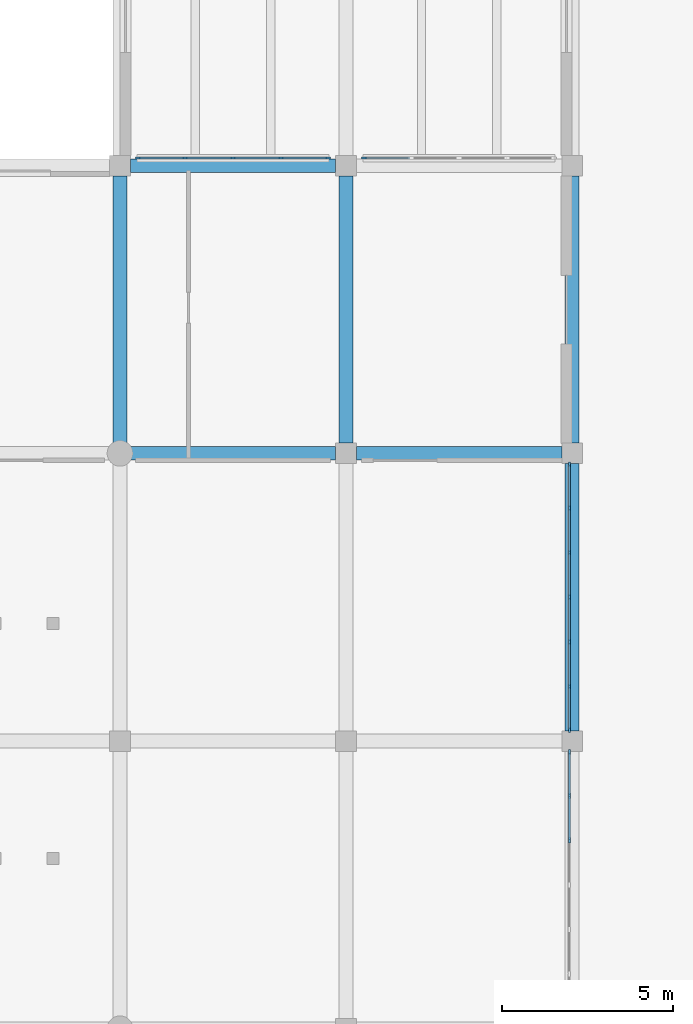
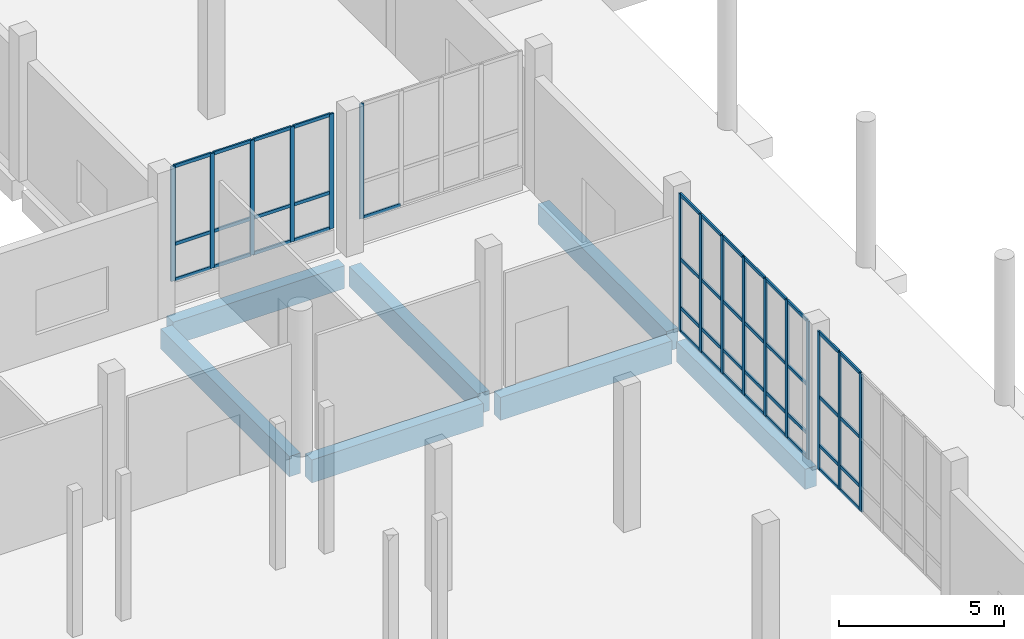
# One storey, part 8 of 64: 61 members, 7 beams, 4 elements without a shape of their own.
"""IFC4 building model written with IfcOpenShell, lengths in metres."""

from ifc_helpers import new_model, si_unit, direction, frame, origin, origin_2d, place, context, subcontext, project, spatial, rectangle, extrude, material, material_profile, profile_set, type_object, element, aggregate, save


model = new_model("IFC4")

# Units and contexts
model_context = context("Model", 3, precision=1e-05, world=origin(), true_north=direction((0.0, 1.0)))
body_context = subcontext(model_context, "Body", "Model", "MODEL_VIEW")
ifc_project = project(units=[si_unit("LENGTHUNIT", "METRE"), si_unit("AREAUNIT", "SQUARE_METRE"), si_unit("VOLUMEUNIT", "CUBIC_METRE"), si_unit("PLANEANGLEUNIT", "RADIAN"), si_unit("MASSUNIT", "GRAM", prefix="KILO")], contexts=[model_context])

# Site, building, storey
site_placement = place(None, origin())
site = spatial("IfcSite", under=ifc_project, at=site_placement, CompositionType="ELEMENT")
building_placement = place(site_placement, origin())
building = spatial("IfcBuilding", under=site, at=building_placement, Name="Qaldarim Faculty of Natural and Applied Sciences", CompositionType="ELEMENT")
storey_placement = place(building_placement, origin())
storey = spatial("IfcBuildingStorey", under=building, at=storey_placement, Name="L00", CompositionType="ELEMENT", Elevation=0.0)

# Beams
ifc_material_1 = material(Name="Concrete C50/60", Category="concrete")
ifc_material_profile_1 = material_profile(ifc_material_1, rectangle(XDim=0.39990234375, YDim=0.75, at=origin_2d()), Name="RC-B400x750")
ifc_profile_set_1 = profile_set([ifc_material_profile_1], Name="Concrete C50/60")
beam_type_1 = type_object("IfcBeamType", Name="LabGirder-RC400x750", PredefinedType="BEAM", material=ifc_profile_set_1)
for number, where, z_axis, x_axis, name in (
    (1, (33.0, 75.89990234375, -0.735107421875), (0.0, 1.0, 0.0), (-1.0, 0.0, 0.0), "Beam RC-B400x750 B01 X06/Y10-Y11"),
    (2, (39.60009765625, 75.89990234375, -0.735107421875), (0.0, 1.0, 0.0), (-1.0, 0.0, 0.0), "Beam RC-B400x750 B01 X07/Y10-Y11"),
    (3, (46.199951171875, 67.5, -0.735107421875), (0.0, 1.0, 0.0), (-1.0, 0.0, 0.0), "Beam RC-B400x750 B01 X08/Y09-Y10"),
    (4, (46.199951171875, 75.89990234375, -0.735107421875), (0.0, 1.0, 0.0), (-1.0, 0.0, 0.0), "Beam RC-B400x750 B01 X08/Y10-Y11"),
):
    element("IfcBeam", number, at=place(storey_placement, frame(where, z_axis=z_axis, x_axis=x_axis)), inside=storey, type_object=beam_type_1, Name=name, PredefinedType="BEAM", context=body_context, shape_type="SweptSolid", body=[
        extrude(rectangle(XDim=0.39990234375, YDim=0.75, at=origin_2d()), origin(), (0.0, 0.0, 1.0), 7.800048828125),
    ])

# Curtain wall, members
ifc_material_2 = material(Name="Anodised aluminium AW-6063", Category="aluminium")
curtain_wall_type_1 = type_object("IfcCurtainWallType", Name="CurtainWallSystem-M1300", PredefinedType="USERDEFINED", material=ifc_material_2)
curtain_wall_1_placement = place(storey_placement, origin())
curtain_wall_1 = element("IfcCurtainWall", 5, at=curtain_wall_1_placement, inside=storey, type_object=curtain_wall_type_1, Name="Curtain wall CW-L00-E-X07Y08", ObjectType="STICK CURTAIN WALL", PredefinedType="USERDEFINED")
ifc_material_profile_2 = material_profile(ifc_material_2, rectangle(XDim=0.06005859375, YDim=0.14990234375, at=origin_2d()), Name="ALU-M60x150")
ifc_profile_set_2 = profile_set([ifc_material_profile_2], Name="Anodised aluminium AW-6063")
member_type_1 = type_object("IfcMemberType", Name="Mullion-ALU60x150", PredefinedType="MULLION", material=ifc_profile_set_2)
member_1_placement = place(storey_placement, frame((46.1201171875, 64.3017578125, 0.0), z_axis=(0.0, 0.0, 1.0), x_axis=(-1.0, 0.0, 0.0)))
member_1 = element("IfcMember", 6, at=member_1_placement, type_object=member_type_1, Name="Mullion 5 of CW-L00-E-X07Y08", PredefinedType="MULLION", context=body_context, shape_type="SweptSolid", body=[
    extrude(rectangle(XDim=0.06005859375, YDim=0.14990234375, at=origin_2d()), origin(), (0.0, 0.0, 1.0), 5.10009765625),
])
member_2_placement = place(storey_placement, frame((46.1201171875, 65.603271484375, 0.0), z_axis=(0.0, 0.0, 1.0), x_axis=(-1.0, 0.0, 0.0)))
member_2 = element("IfcMember", 7, at=member_2_placement, type_object=member_type_1, Name="Mullion 6 of CW-L00-E-X07Y08", PredefinedType="MULLION", context=body_context, shape_type="SweptSolid", body=[
    extrude(rectangle(XDim=0.06005859375, YDim=0.14990234375, at=origin_2d()), origin(), (0.0, 0.0, 1.0), 5.10009765625),
])
member_3_placement = place(storey_placement, frame((46.1201171875, 66.875, 0.0), z_axis=(0.0, 0.0, 1.0), x_axis=(-1.0, 0.0, 0.0)))
member_3 = element("IfcMember", 8, at=member_3_placement, type_object=member_type_1, Name="Mullion 7 of CW-L00-E-X07Y08", PredefinedType="MULLION", context=body_context, shape_type="SweptSolid", body=[
    extrude(rectangle(XDim=0.06005859375, YDim=0.14990234375, at=origin_2d()), origin(), (0.0, 0.0, 1.0), 5.10009765625),
])

curtain_wall_2_placement = place(storey_placement, origin())
curtain_wall_2 = element("IfcCurtainWall", 9, at=curtain_wall_2_placement, inside=storey, type_object=curtain_wall_type_1, Name="Curtain wall CW-L00-E-X07Y09", ObjectType="STICK CURTAIN WALL", PredefinedType="USERDEFINED")
member_4_placement = place(storey_placement, frame((46.1201171875, 67.52490234375, 0.0), z_axis=(0.0, 0.0, 1.0), x_axis=(-1.0, 0.0, 0.0)))
member_4 = element("IfcMember", 10, at=member_4_placement, type_object=member_type_1, Name="Mullion 1 of CW-L00-E-X07Y09", PredefinedType="MULLION", context=body_context, shape_type="SweptSolid", body=[
    extrude(rectangle(XDim=0.06005859375, YDim=0.14990234375, at=origin_2d()), origin(), (0.0, 0.0, 1.0), 5.10009765625),
])
member_5_placement = place(storey_placement, frame((46.1201171875, 68.796630859375, 0.0), z_axis=(0.0, 0.0, 1.0), x_axis=(-1.0, 0.0, 0.0)))
member_5 = element("IfcMember", 11, at=member_5_placement, type_object=member_type_1, Name="Mullion 2 of CW-L00-E-X07Y09", PredefinedType="MULLION", context=body_context, shape_type="SweptSolid", body=[
    extrude(rectangle(XDim=0.06005859375, YDim=0.14990234375, at=origin_2d()), origin(), (0.0, 0.0, 1.0), 5.10009765625),
])
member_6_placement = place(storey_placement, frame((46.1201171875, 70.098388671875, 0.0), z_axis=(0.0, 0.0, 1.0), x_axis=(-1.0, 0.0, 0.0)))
member_6 = element("IfcMember", 12, at=member_6_placement, type_object=member_type_1, Name="Mullion 3 of CW-L00-E-X07Y09", PredefinedType="MULLION", context=body_context, shape_type="SweptSolid", body=[
    extrude(rectangle(XDim=0.06005859375, YDim=0.14990234375, at=origin_2d()), origin(), (0.0, 0.0, 1.0), 5.10009765625),
])
member_7_placement = place(storey_placement, frame((46.1201171875, 71.39990234375, 0.0), z_axis=(0.0, 0.0, 1.0), x_axis=(-1.0, 0.0, 0.0)))
member_7 = element("IfcMember", 13, at=member_7_placement, type_object=member_type_1, Name="Mullion 4 of CW-L00-E-X07Y09", PredefinedType="MULLION", context=body_context, shape_type="SweptSolid", body=[
    extrude(rectangle(XDim=0.06005859375, YDim=0.14990234375, at=origin_2d()), origin(), (0.0, 0.0, 1.0), 5.10009765625),
])
member_8_placement = place(storey_placement, frame((46.1201171875, 72.70166015625, 0.0), z_axis=(0.0, 0.0, 1.0), x_axis=(-1.0, 0.0, 0.0)))
member_8 = element("IfcMember", 14, at=member_8_placement, type_object=member_type_1, Name="Mullion 5 of CW-L00-E-X07Y09", PredefinedType="MULLION", context=body_context, shape_type="SweptSolid", body=[
    extrude(rectangle(XDim=0.06005859375, YDim=0.14990234375, at=origin_2d()), origin(), (0.0, 0.0, 1.0), 5.10009765625),
])
member_9_placement = place(storey_placement, frame((46.1201171875, 74.00341796875, 0.0), z_axis=(0.0, 0.0, 1.0), x_axis=(-1.0, 0.0, 0.0)))
member_9 = element("IfcMember", 15, at=member_9_placement, type_object=member_type_1, Name="Mullion 6 of CW-L00-E-X07Y09", PredefinedType="MULLION", context=body_context, shape_type="SweptSolid", body=[
    extrude(rectangle(XDim=0.06005859375, YDim=0.14990234375, at=origin_2d()), origin(), (0.0, 0.0, 1.0), 5.10009765625),
])
member_10_placement = place(storey_placement, frame((46.1201171875, 75.27490234375, 0.0), z_axis=(0.0, 0.0, 1.0), x_axis=(-1.0, 0.0, 0.0)))
member_10 = element("IfcMember", 16, at=member_10_placement, type_object=member_type_1, Name="Mullion 7 of CW-L00-E-X07Y09", PredefinedType="MULLION", context=body_context, shape_type="SweptSolid", body=[
    extrude(rectangle(XDim=0.06005859375, YDim=0.14990234375, at=origin_2d()), origin(), (0.0, 0.0, 1.0), 5.10009765625),
])

curtain_wall_type_2 = type_object("IfcCurtainWallType", Name="CurtainWallSystem-M1400", PredefinedType="USERDEFINED", material=ifc_material_2)
curtain_wall_3_placement = place(storey_placement, origin())
curtain_wall_3 = element("IfcCurtainWall", 17, at=curtain_wall_3_placement, inside=storey, type_object=curtain_wall_type_2, Name="Curtain wall CW-V4RIB-L00-X06", ObjectType="STICK CURTAIN WALL", PredefinedType="USERDEFINED")
member_11_placement = place(storey_placement, frame((33.530029296875, 84.219970703125, 0.85009765625), z_axis=(0.0, 0.0, 1.0), x_axis=(0.0, 1.0, 0.0)))
member_11 = element("IfcMember", 18, at=member_11_placement, type_object=member_type_1, Name="Mullion 1 of CW-V4RIB-L00-X06", PredefinedType="MULLION", context=body_context, shape_type="SweptSolid", body=[
    extrude(rectangle(XDim=0.06005859375, YDim=0.14990234375, at=origin_2d()), origin(), (0.0, 0.0, 1.0), 4.25),
])
member_12_placement = place(storey_placement, frame((34.89990234375, 84.219970703125, 0.85009765625), z_axis=(0.0, 0.0, 1.0), x_axis=(0.0, 1.0, 0.0)))
member_12 = element("IfcMember", 19, at=member_12_placement, type_object=member_type_1, Name="Mullion 2 of CW-V4RIB-L00-X06", PredefinedType="MULLION", context=body_context, shape_type="SweptSolid", body=[
    extrude(rectangle(XDim=0.06005859375, YDim=0.14990234375, at=origin_2d()), origin(), (0.0, 0.0, 1.0), 4.25),
])
member_13_placement = place(storey_placement, frame((36.300048828125, 84.219970703125, 0.85009765625), z_axis=(0.0, 0.0, 1.0), x_axis=(0.0, 1.0, 0.0)))
member_13 = element("IfcMember", 20, at=member_13_placement, type_object=member_type_1, Name="Mullion 3 of CW-V4RIB-L00-X06", PredefinedType="MULLION", context=body_context, shape_type="SweptSolid", body=[
    extrude(rectangle(XDim=0.06005859375, YDim=0.14990234375, at=origin_2d()), origin(), (0.0, 0.0, 1.0), 4.25),
])
member_14_placement = place(storey_placement, frame((37.699951171875, 84.219970703125, 0.85009765625), z_axis=(0.0, 0.0, 1.0), x_axis=(0.0, 1.0, 0.0)))
member_14 = element("IfcMember", 21, at=member_14_placement, type_object=member_type_1, Name="Mullion 4 of CW-V4RIB-L00-X06", PredefinedType="MULLION", context=body_context, shape_type="SweptSolid", body=[
    extrude(rectangle(XDim=0.06005859375, YDim=0.14990234375, at=origin_2d()), origin(), (0.0, 0.0, 1.0), 4.25),
])
member_15_placement = place(storey_placement, frame((39.070068359375, 84.219970703125, 0.85009765625), z_axis=(0.0, 0.0, 1.0), x_axis=(0.0, 1.0, 0.0)))
member_15 = element("IfcMember", 22, at=member_15_placement, type_object=member_type_1, Name="Mullion 5 of CW-V4RIB-L00-X06", PredefinedType="MULLION", context=body_context, shape_type="SweptSolid", body=[
    extrude(rectangle(XDim=0.06005859375, YDim=0.14990234375, at=origin_2d()), origin(), (0.0, 0.0, 1.0), 4.25),
])

# Curtain wall, member
curtain_wall_4_placement = place(storey_placement, origin())
curtain_wall_4 = element("IfcCurtainWall", 23, at=curtain_wall_4_placement, inside=storey, type_object=curtain_wall_type_2, Name="Curtain wall CW-V4RIB-L00-X07", ObjectType="STICK CURTAIN WALL", PredefinedType="USERDEFINED")
member_16_placement = place(storey_placement, frame((40.1298828125, 84.219970703125, 0.85009765625), z_axis=(0.0, 0.0, 1.0), x_axis=(0.0, 1.0, 0.0)))
member_16 = element("IfcMember", 24, at=member_16_placement, type_object=member_type_1, Name="Mullion 1 of CW-V4RIB-L00-X07", PredefinedType="MULLION", context=body_context, shape_type="SweptSolid", body=[
    extrude(rectangle(XDim=0.06005859375, YDim=0.14990234375, at=origin_2d()), origin(), (0.0, 0.0, 1.0), 4.25),
])

# Beams
ifc_material_profile_3 = material_profile(ifc_material_1, rectangle(XDim=0.39990234375, YDim=0.85009765625, at=origin_2d()), Name="RC-B400x850")
ifc_profile_set_3 = profile_set([ifc_material_profile_3], Name="Concrete C50/60")
beam_type_2 = type_object("IfcBeamType", Name="PodiumGirder-RC400x850", PredefinedType="BEAM", material=ifc_profile_set_3)
for number, where, z_axis, x_axis, name in (
    (25, (33.300048828125, 75.60009765625, -0.784912109375), (1.0, 0.0, 0.0), (0.0, 1.0, 0.0), "Beam RC-B400x850 B01 X06-X07/Y10"),
    (26, (39.89990234375, 75.60009765625, -0.784912109375), (1.0, 0.0, 0.0), (0.0, 1.0, 0.0), "Beam RC-B400x850 B01 X07-X08/Y10"),
    (27, (33.300048828125, 84.0, -0.784912109375), (1.0, 0.0, 0.0), (0.0, 1.0, 0.0), "Beam RC-B400x850 B01 X06-X07/Y11"),
):
    element("IfcBeam", number, at=place(storey_placement, frame(where, z_axis=z_axis, x_axis=x_axis)), inside=storey, type_object=beam_type_2, Name=name, PredefinedType="BEAM", context=body_context, shape_type="SweptSolid", body=[
        extrude(rectangle(XDim=0.39990234375, YDim=0.85009765625, at=origin_2d()), origin(), (0.0, 0.0, 1.0), 6.0),
    ])

# Member
ifc_material_profile_4 = material_profile(ifc_material_2, rectangle(XDim=0.06005859375, YDim=0.1201171875, at=origin_2d()), Name="ALU-T60x120")
ifc_profile_set_4 = profile_set([ifc_material_profile_4], Name="Anodised aluminium AW-6063")
member_type_2 = type_object("IfcMemberType", Name="Transom-ALU60x120", PredefinedType="USERDEFINED", material=ifc_profile_set_4)
member_17_placement = place(storey_placement, frame((46.1201171875, 64.331787109375, 0.030029296875), z_axis=(0.0, 1.0, 0.0), x_axis=(-1.0, 0.0, 0.0)))
member_17 = element("IfcMember", 28, at=member_17_placement, type_object=member_type_2, Name="Transom 5-1 of CW-L00-E-X07Y08", ObjectType="TRANSOM", PredefinedType="USERDEFINED", context=body_context, shape_type="SweptSolid", body=[
    extrude(rectangle(XDim=0.06005859375, YDim=0.1201171875, at=origin_2d()), origin(), (0.0, 0.0, 1.0), 1.241455078125),
])

member_18_placement = place(storey_placement, frame((46.1201171875, 64.331787109375, 0.89990234375), z_axis=(0.0, 1.0, 0.0), x_axis=(-1.0, 0.0, 0.0)))
member_18 = element("IfcMember", 29, at=member_18_placement, type_object=member_type_2, Name="Transom 5-2 of CW-L00-E-X07Y08", ObjectType="TRANSOM", PredefinedType="USERDEFINED", context=body_context, shape_type="SweptSolid", body=[
    extrude(rectangle(XDim=0.06005859375, YDim=0.1201171875, at=origin_2d()), origin(), (0.0, 0.0, 1.0), 1.241455078125),
])

member_19_placement = place(storey_placement, frame((46.1201171875, 64.331787109375, 2.699951171875), z_axis=(0.0, 1.0, 0.0), x_axis=(-1.0, 0.0, 0.0)))
member_19 = element("IfcMember", 30, at=member_19_placement, type_object=member_type_2, Name="Transom 5-3 of CW-L00-E-X07Y08", ObjectType="TRANSOM", PredefinedType="USERDEFINED", context=body_context, shape_type="SweptSolid", body=[
    extrude(rectangle(XDim=0.06005859375, YDim=0.1201171875, at=origin_2d()), origin(), (0.0, 0.0, 1.0), 1.241455078125),
])

member_20_placement = place(storey_placement, frame((46.1201171875, 64.331787109375, 5.070068359375), z_axis=(0.0, 1.0, 0.0), x_axis=(-1.0, 0.0, 0.0)))
member_20 = element("IfcMember", 31, at=member_20_placement, type_object=member_type_2, Name="Transom 5-4 of CW-L00-E-X07Y08", ObjectType="TRANSOM", PredefinedType="USERDEFINED", context=body_context, shape_type="SweptSolid", body=[
    extrude(rectangle(XDim=0.06005859375, YDim=0.1201171875, at=origin_2d()), origin(), (0.0, 0.0, 1.0), 1.241455078125),
])

member_21_placement = place(storey_placement, frame((46.1201171875, 65.63330078125, 0.030029296875), z_axis=(0.0, 1.0, 0.0), x_axis=(-1.0, 0.0, 0.0)))
member_21 = element("IfcMember", 32, at=member_21_placement, type_object=member_type_2, Name="Transom 6-1 of CW-L00-E-X07Y08", ObjectType="TRANSOM", PredefinedType="USERDEFINED", context=body_context, shape_type="SweptSolid", body=[
    extrude(rectangle(XDim=0.06005859375, YDim=0.1201171875, at=origin_2d()), origin(), (0.0, 0.0, 1.0), 1.211669921875),
])

member_22_placement = place(storey_placement, frame((46.1201171875, 65.63330078125, 0.89990234375), z_axis=(0.0, 1.0, 0.0), x_axis=(-1.0, 0.0, 0.0)))
member_22 = element("IfcMember", 33, at=member_22_placement, type_object=member_type_2, Name="Transom 6-2 of CW-L00-E-X07Y08", ObjectType="TRANSOM", PredefinedType="USERDEFINED", context=body_context, shape_type="SweptSolid", body=[
    extrude(rectangle(XDim=0.06005859375, YDim=0.1201171875, at=origin_2d()), origin(), (0.0, 0.0, 1.0), 1.211669921875),
])

member_23_placement = place(storey_placement, frame((46.1201171875, 65.63330078125, 2.699951171875), z_axis=(0.0, 1.0, 0.0), x_axis=(-1.0, 0.0, 0.0)))
member_23 = element("IfcMember", 34, at=member_23_placement, type_object=member_type_2, Name="Transom 6-3 of CW-L00-E-X07Y08", ObjectType="TRANSOM", PredefinedType="USERDEFINED", context=body_context, shape_type="SweptSolid", body=[
    extrude(rectangle(XDim=0.06005859375, YDim=0.1201171875, at=origin_2d()), origin(), (0.0, 0.0, 1.0), 1.211669921875),
])

member_24_placement = place(storey_placement, frame((46.1201171875, 65.63330078125, 5.070068359375), z_axis=(0.0, 1.0, 0.0), x_axis=(-1.0, 0.0, 0.0)))
member_24 = element("IfcMember", 35, at=member_24_placement, type_object=member_type_2, Name="Transom 6-4 of CW-L00-E-X07Y08", ObjectType="TRANSOM", PredefinedType="USERDEFINED", context=body_context, shape_type="SweptSolid", body=[
    extrude(rectangle(XDim=0.06005859375, YDim=0.1201171875, at=origin_2d()), origin(), (0.0, 0.0, 1.0), 1.211669921875),
])

aggregate(curtain_wall_1, [member_1, member_2, member_3, member_17, member_18, member_19, member_20, member_21, member_22, member_23, member_24])

member_25_placement = place(storey_placement, frame((46.1201171875, 67.554931640625, 0.030029296875), z_axis=(0.0, 1.0, 0.0), x_axis=(-1.0, 0.0, 0.0)))
member_25 = element("IfcMember", 36, at=member_25_placement, type_object=member_type_2, Name="Transom 1-1 of CW-L00-E-X07Y09", ObjectType="TRANSOM", PredefinedType="USERDEFINED", context=body_context, shape_type="SweptSolid", body=[
    extrude(rectangle(XDim=0.06005859375, YDim=0.1201171875, at=origin_2d()), origin(), (0.0, 0.0, 1.0), 1.211669921875),
])

member_26_placement = place(storey_placement, frame((46.1201171875, 67.554931640625, 0.89990234375), z_axis=(0.0, 1.0, 0.0), x_axis=(-1.0, 0.0, 0.0)))
member_26 = element("IfcMember", 37, at=member_26_placement, type_object=member_type_2, Name="Transom 1-2 of CW-L00-E-X07Y09", ObjectType="TRANSOM", PredefinedType="USERDEFINED", context=body_context, shape_type="SweptSolid", body=[
    extrude(rectangle(XDim=0.06005859375, YDim=0.1201171875, at=origin_2d()), origin(), (0.0, 0.0, 1.0), 1.211669921875),
])

member_27_placement = place(storey_placement, frame((46.1201171875, 67.554931640625, 2.699951171875), z_axis=(0.0, 1.0, 0.0), x_axis=(-1.0, 0.0, 0.0)))
member_27 = element("IfcMember", 38, at=member_27_placement, type_object=member_type_2, Name="Transom 1-3 of CW-L00-E-X07Y09", ObjectType="TRANSOM", PredefinedType="USERDEFINED", context=body_context, shape_type="SweptSolid", body=[
    extrude(rectangle(XDim=0.06005859375, YDim=0.1201171875, at=origin_2d()), origin(), (0.0, 0.0, 1.0), 1.211669921875),
])

member_28_placement = place(storey_placement, frame((46.1201171875, 67.554931640625, 5.070068359375), z_axis=(0.0, 1.0, 0.0), x_axis=(-1.0, 0.0, 0.0)))
member_28 = element("IfcMember", 39, at=member_28_placement, type_object=member_type_2, Name="Transom 1-4 of CW-L00-E-X07Y09", ObjectType="TRANSOM", PredefinedType="USERDEFINED", context=body_context, shape_type="SweptSolid", body=[
    extrude(rectangle(XDim=0.06005859375, YDim=0.1201171875, at=origin_2d()), origin(), (0.0, 0.0, 1.0), 1.211669921875),
])

member_29_placement = place(storey_placement, frame((46.1201171875, 68.82666015625, 0.030029296875), z_axis=(0.0, 1.0, 0.0), x_axis=(-1.0, 0.0, 0.0)))
member_29 = element("IfcMember", 40, at=member_29_placement, type_object=member_type_2, Name="Transom 2-1 of CW-L00-E-X07Y09", ObjectType="TRANSOM", PredefinedType="USERDEFINED", context=body_context, shape_type="SweptSolid", body=[
    extrude(rectangle(XDim=0.06005859375, YDim=0.1201171875, at=origin_2d()), origin(), (0.0, 0.0, 1.0), 1.24169921875),
])

member_30_placement = place(storey_placement, frame((46.1201171875, 68.82666015625, 0.89990234375), z_axis=(0.0, 1.0, 0.0), x_axis=(-1.0, 0.0, 0.0)))
member_30 = element("IfcMember", 41, at=member_30_placement, type_object=member_type_2, Name="Transom 2-2 of CW-L00-E-X07Y09", ObjectType="TRANSOM", PredefinedType="USERDEFINED", context=body_context, shape_type="SweptSolid", body=[
    extrude(rectangle(XDim=0.06005859375, YDim=0.1201171875, at=origin_2d()), origin(), (0.0, 0.0, 1.0), 1.24169921875),
])

member_31_placement = place(storey_placement, frame((46.1201171875, 68.82666015625, 2.699951171875), z_axis=(0.0, 1.0, 0.0), x_axis=(-1.0, 0.0, 0.0)))
member_31 = element("IfcMember", 42, at=member_31_placement, type_object=member_type_2, Name="Transom 2-3 of CW-L00-E-X07Y09", ObjectType="TRANSOM", PredefinedType="USERDEFINED", context=body_context, shape_type="SweptSolid", body=[
    extrude(rectangle(XDim=0.06005859375, YDim=0.1201171875, at=origin_2d()), origin(), (0.0, 0.0, 1.0), 1.24169921875),
])

member_32_placement = place(storey_placement, frame((46.1201171875, 68.82666015625, 5.070068359375), z_axis=(0.0, 1.0, 0.0), x_axis=(-1.0, 0.0, 0.0)))
member_32 = element("IfcMember", 43, at=member_32_placement, type_object=member_type_2, Name="Transom 2-4 of CW-L00-E-X07Y09", ObjectType="TRANSOM", PredefinedType="USERDEFINED", context=body_context, shape_type="SweptSolid", body=[
    extrude(rectangle(XDim=0.06005859375, YDim=0.1201171875, at=origin_2d()), origin(), (0.0, 0.0, 1.0), 1.24169921875),
])

member_33_placement = place(storey_placement, frame((46.1201171875, 70.12841796875, 0.030029296875), z_axis=(0.0, 1.0, 0.0), x_axis=(-1.0, 0.0, 0.0)))
member_33 = element("IfcMember", 44, at=member_33_placement, type_object=member_type_2, Name="Transom 3-1 of CW-L00-E-X07Y09", ObjectType="TRANSOM", PredefinedType="USERDEFINED", context=body_context, shape_type="SweptSolid", body=[
    extrude(rectangle(XDim=0.06005859375, YDim=0.1201171875, at=origin_2d()), origin(), (0.0, 0.0, 1.0), 1.24169921875),
])

member_34_placement = place(storey_placement, frame((46.1201171875, 70.12841796875, 0.89990234375), z_axis=(0.0, 1.0, 0.0), x_axis=(-1.0, 0.0, 0.0)))
member_34 = element("IfcMember", 45, at=member_34_placement, type_object=member_type_2, Name="Transom 3-2 of CW-L00-E-X07Y09", ObjectType="TRANSOM", PredefinedType="USERDEFINED", context=body_context, shape_type="SweptSolid", body=[
    extrude(rectangle(XDim=0.06005859375, YDim=0.1201171875, at=origin_2d()), origin(), (0.0, 0.0, 1.0), 1.24169921875),
])

member_35_placement = place(storey_placement, frame((46.1201171875, 70.12841796875, 2.699951171875), z_axis=(0.0, 1.0, 0.0), x_axis=(-1.0, 0.0, 0.0)))
member_35 = element("IfcMember", 46, at=member_35_placement, type_object=member_type_2, Name="Transom 3-3 of CW-L00-E-X07Y09", ObjectType="TRANSOM", PredefinedType="USERDEFINED", context=body_context, shape_type="SweptSolid", body=[
    extrude(rectangle(XDim=0.06005859375, YDim=0.1201171875, at=origin_2d()), origin(), (0.0, 0.0, 1.0), 1.24169921875),
])

member_36_placement = place(storey_placement, frame((46.1201171875, 70.12841796875, 5.070068359375), z_axis=(0.0, 1.0, 0.0), x_axis=(-1.0, 0.0, 0.0)))
member_36 = element("IfcMember", 47, at=member_36_placement, type_object=member_type_2, Name="Transom 3-4 of CW-L00-E-X07Y09", ObjectType="TRANSOM", PredefinedType="USERDEFINED", context=body_context, shape_type="SweptSolid", body=[
    extrude(rectangle(XDim=0.06005859375, YDim=0.1201171875, at=origin_2d()), origin(), (0.0, 0.0, 1.0), 1.24169921875),
])

member_37_placement = place(storey_placement, frame((46.1201171875, 71.429931640625, 0.030029296875), z_axis=(0.0, 1.0, 0.0), x_axis=(-1.0, 0.0, 0.0)))
member_37 = element("IfcMember", 48, at=member_37_placement, type_object=member_type_2, Name="Transom 4-1 of CW-L00-E-X07Y09", ObjectType="TRANSOM", PredefinedType="USERDEFINED", context=body_context, shape_type="SweptSolid", body=[
    extrude(rectangle(XDim=0.06005859375, YDim=0.1201171875, at=origin_2d()), origin(), (0.0, 0.0, 1.0), 1.24169921875),
])

member_38_placement = place(storey_placement, frame((46.1201171875, 71.429931640625, 0.89990234375), z_axis=(0.0, 1.0, 0.0), x_axis=(-1.0, 0.0, 0.0)))
member_38 = element("IfcMember", 49, at=member_38_placement, type_object=member_type_2, Name="Transom 4-2 of CW-L00-E-X07Y09", ObjectType="TRANSOM", PredefinedType="USERDEFINED", context=body_context, shape_type="SweptSolid", body=[
    extrude(rectangle(XDim=0.06005859375, YDim=0.1201171875, at=origin_2d()), origin(), (0.0, 0.0, 1.0), 1.24169921875),
])

member_39_placement = place(storey_placement, frame((46.1201171875, 71.429931640625, 2.699951171875), z_axis=(0.0, 1.0, 0.0), x_axis=(-1.0, 0.0, 0.0)))
member_39 = element("IfcMember", 50, at=member_39_placement, type_object=member_type_2, Name="Transom 4-3 of CW-L00-E-X07Y09", ObjectType="TRANSOM", PredefinedType="USERDEFINED", context=body_context, shape_type="SweptSolid", body=[
    extrude(rectangle(XDim=0.06005859375, YDim=0.1201171875, at=origin_2d()), origin(), (0.0, 0.0, 1.0), 1.24169921875),
])

member_40_placement = place(storey_placement, frame((46.1201171875, 71.429931640625, 5.070068359375), z_axis=(0.0, 1.0, 0.0), x_axis=(-1.0, 0.0, 0.0)))
member_40 = element("IfcMember", 51, at=member_40_placement, type_object=member_type_2, Name="Transom 4-4 of CW-L00-E-X07Y09", ObjectType="TRANSOM", PredefinedType="USERDEFINED", context=body_context, shape_type="SweptSolid", body=[
    extrude(rectangle(XDim=0.06005859375, YDim=0.1201171875, at=origin_2d()), origin(), (0.0, 0.0, 1.0), 1.24169921875),
])

member_41_placement = place(storey_placement, frame((46.1201171875, 72.731689453125, 0.030029296875), z_axis=(0.0, 1.0, 0.0), x_axis=(-1.0, 0.0, 0.0)))
member_41 = element("IfcMember", 52, at=member_41_placement, type_object=member_type_2, Name="Transom 5-1 of CW-L00-E-X07Y09", ObjectType="TRANSOM", PredefinedType="USERDEFINED", context=body_context, shape_type="SweptSolid", body=[
    extrude(rectangle(XDim=0.06005859375, YDim=0.1201171875, at=origin_2d()), origin(), (0.0, 0.0, 1.0), 1.24169921875),
])

member_42_placement = place(storey_placement, frame((46.1201171875, 72.731689453125, 0.89990234375), z_axis=(0.0, 1.0, 0.0), x_axis=(-1.0, 0.0, 0.0)))
member_42 = element("IfcMember", 53, at=member_42_placement, type_object=member_type_2, Name="Transom 5-2 of CW-L00-E-X07Y09", ObjectType="TRANSOM", PredefinedType="USERDEFINED", context=body_context, shape_type="SweptSolid", body=[
    extrude(rectangle(XDim=0.06005859375, YDim=0.1201171875, at=origin_2d()), origin(), (0.0, 0.0, 1.0), 1.24169921875),
])

member_43_placement = place(storey_placement, frame((46.1201171875, 72.731689453125, 2.699951171875), z_axis=(0.0, 1.0, 0.0), x_axis=(-1.0, 0.0, 0.0)))
member_43 = element("IfcMember", 54, at=member_43_placement, type_object=member_type_2, Name="Transom 5-3 of CW-L00-E-X07Y09", ObjectType="TRANSOM", PredefinedType="USERDEFINED", context=body_context, shape_type="SweptSolid", body=[
    extrude(rectangle(XDim=0.06005859375, YDim=0.1201171875, at=origin_2d()), origin(), (0.0, 0.0, 1.0), 1.24169921875),
])

member_44_placement = place(storey_placement, frame((46.1201171875, 72.731689453125, 5.070068359375), z_axis=(0.0, 1.0, 0.0), x_axis=(-1.0, 0.0, 0.0)))
member_44 = element("IfcMember", 55, at=member_44_placement, type_object=member_type_2, Name="Transom 5-4 of CW-L00-E-X07Y09", ObjectType="TRANSOM", PredefinedType="USERDEFINED", context=body_context, shape_type="SweptSolid", body=[
    extrude(rectangle(XDim=0.06005859375, YDim=0.1201171875, at=origin_2d()), origin(), (0.0, 0.0, 1.0), 1.24169921875),
])

member_45_placement = place(storey_placement, frame((46.1201171875, 74.033203125, 0.030029296875), z_axis=(0.0, 1.0, 0.0), x_axis=(-1.0, 0.0, 0.0)))
member_45 = element("IfcMember", 56, at=member_45_placement, type_object=member_type_2, Name="Transom 6-1 of CW-L00-E-X07Y09", ObjectType="TRANSOM", PredefinedType="USERDEFINED", context=body_context, shape_type="SweptSolid", body=[
    extrude(rectangle(XDim=0.06005859375, YDim=0.1201171875, at=origin_2d()), origin(), (0.0, 0.0, 1.0), 1.2119140625),
])

member_46_placement = place(storey_placement, frame((46.1201171875, 74.033203125, 0.89990234375), z_axis=(0.0, 1.0, 0.0), x_axis=(-1.0, 0.0, 0.0)))
member_46 = element("IfcMember", 57, at=member_46_placement, type_object=member_type_2, Name="Transom 6-2 of CW-L00-E-X07Y09", ObjectType="TRANSOM", PredefinedType="USERDEFINED", context=body_context, shape_type="SweptSolid", body=[
    extrude(rectangle(XDim=0.06005859375, YDim=0.1201171875, at=origin_2d()), origin(), (0.0, 0.0, 1.0), 1.2119140625),
])

member_47_placement = place(storey_placement, frame((46.1201171875, 74.033203125, 2.699951171875), z_axis=(0.0, 1.0, 0.0), x_axis=(-1.0, 0.0, 0.0)))
member_47 = element("IfcMember", 58, at=member_47_placement, type_object=member_type_2, Name="Transom 6-3 of CW-L00-E-X07Y09", ObjectType="TRANSOM", PredefinedType="USERDEFINED", context=body_context, shape_type="SweptSolid", body=[
    extrude(rectangle(XDim=0.06005859375, YDim=0.1201171875, at=origin_2d()), origin(), (0.0, 0.0, 1.0), 1.2119140625),
])

member_48_placement = place(storey_placement, frame((46.1201171875, 74.033203125, 5.070068359375), z_axis=(0.0, 1.0, 0.0), x_axis=(-1.0, 0.0, 0.0)))
member_48 = element("IfcMember", 59, at=member_48_placement, type_object=member_type_2, Name="Transom 6-4 of CW-L00-E-X07Y09", ObjectType="TRANSOM", PredefinedType="USERDEFINED", context=body_context, shape_type="SweptSolid", body=[
    extrude(rectangle(XDim=0.06005859375, YDim=0.1201171875, at=origin_2d()), origin(), (0.0, 0.0, 1.0), 1.2119140625),
])

aggregate(curtain_wall_2, [member_4, member_5, member_6, member_7, member_8, member_9, member_10, member_25, member_26, member_27, member_28, member_29, member_30, member_31, member_32, member_33, member_34, member_35, member_36, member_37, member_38, member_39, member_40, member_41, member_42, member_43, member_44, member_45, member_46, member_47, member_48])

member_49_placement = place(storey_placement, frame((33.56005859375, 84.219970703125, 0.8798828125), z_axis=(1.0, 0.0, 0.0), x_axis=(0.0, 1.0, 0.0)))
member_49 = element("IfcMember", 60, at=member_49_placement, type_object=member_type_2, Name="Transom 1-1 of CW-V4RIB-L00-X06", ObjectType="TRANSOM", PredefinedType="USERDEFINED", context=body_context, shape_type="SweptSolid", body=[
    extrude(rectangle(XDim=0.06005859375, YDim=0.1201171875, at=origin_2d()), origin(), (0.0, 0.0, 1.0), 1.31005859375),
])

member_50_placement = place(storey_placement, frame((33.56005859375, 84.219970703125, 2.199951171875), z_axis=(1.0, 0.0, 0.0), x_axis=(0.0, 1.0, 0.0)))
member_50 = element("IfcMember", 61, at=member_50_placement, type_object=member_type_2, Name="Transom 1-2 of CW-V4RIB-L00-X06", ObjectType="TRANSOM", PredefinedType="USERDEFINED", context=body_context, shape_type="SweptSolid", body=[
    extrude(rectangle(XDim=0.06005859375, YDim=0.1201171875, at=origin_2d()), origin(), (0.0, 0.0, 1.0), 1.31005859375),
])

member_51_placement = place(storey_placement, frame((33.56005859375, 84.219970703125, 5.070068359375), z_axis=(1.0, 0.0, 0.0), x_axis=(0.0, 1.0, 0.0)))
member_51 = element("IfcMember", 62, at=member_51_placement, type_object=member_type_2, Name="Transom 1-3 of CW-V4RIB-L00-X06", ObjectType="TRANSOM", PredefinedType="USERDEFINED", context=body_context, shape_type="SweptSolid", body=[
    extrude(rectangle(XDim=0.06005859375, YDim=0.1201171875, at=origin_2d()), origin(), (0.0, 0.0, 1.0), 1.31005859375),
])

member_52_placement = place(storey_placement, frame((34.929931640625, 84.219970703125, 0.8798828125), z_axis=(1.0, 0.0, 0.0), x_axis=(0.0, 1.0, 0.0)))
member_52 = element("IfcMember", 63, at=member_52_placement, type_object=member_type_2, Name="Transom 2-1 of CW-V4RIB-L00-X06", ObjectType="TRANSOM", PredefinedType="USERDEFINED", context=body_context, shape_type="SweptSolid", body=[
    extrude(rectangle(XDim=0.06005859375, YDim=0.1201171875, at=origin_2d()), origin(), (0.0, 0.0, 1.0), 1.340087890625),
])

member_53_placement = place(storey_placement, frame((34.929931640625, 84.219970703125, 2.199951171875), z_axis=(1.0, 0.0, 0.0), x_axis=(0.0, 1.0, 0.0)))
member_53 = element("IfcMember", 64, at=member_53_placement, type_object=member_type_2, Name="Transom 2-2 of CW-V4RIB-L00-X06", ObjectType="TRANSOM", PredefinedType="USERDEFINED", context=body_context, shape_type="SweptSolid", body=[
    extrude(rectangle(XDim=0.06005859375, YDim=0.1201171875, at=origin_2d()), origin(), (0.0, 0.0, 1.0), 1.340087890625),
])

member_54_placement = place(storey_placement, frame((34.929931640625, 84.219970703125, 5.070068359375), z_axis=(1.0, 0.0, 0.0), x_axis=(0.0, 1.0, 0.0)))
member_54 = element("IfcMember", 65, at=member_54_placement, type_object=member_type_2, Name="Transom 2-3 of CW-V4RIB-L00-X06", ObjectType="TRANSOM", PredefinedType="USERDEFINED", context=body_context, shape_type="SweptSolid", body=[
    extrude(rectangle(XDim=0.06005859375, YDim=0.1201171875, at=origin_2d()), origin(), (0.0, 0.0, 1.0), 1.340087890625),
])

member_55_placement = place(storey_placement, frame((36.330078125, 84.219970703125, 0.8798828125), z_axis=(1.0, 0.0, 0.0), x_axis=(0.0, 1.0, 0.0)))
member_55 = element("IfcMember", 66, at=member_55_placement, type_object=member_type_2, Name="Transom 3-1 of CW-V4RIB-L00-X06", ObjectType="TRANSOM", PredefinedType="USERDEFINED", context=body_context, shape_type="SweptSolid", body=[
    extrude(rectangle(XDim=0.06005859375, YDim=0.1201171875, at=origin_2d()), origin(), (0.0, 0.0, 1.0), 1.33984375),
])

member_56_placement = place(storey_placement, frame((36.330078125, 84.219970703125, 2.199951171875), z_axis=(1.0, 0.0, 0.0), x_axis=(0.0, 1.0, 0.0)))
member_56 = element("IfcMember", 67, at=member_56_placement, type_object=member_type_2, Name="Transom 3-2 of CW-V4RIB-L00-X06", ObjectType="TRANSOM", PredefinedType="USERDEFINED", context=body_context, shape_type="SweptSolid", body=[
    extrude(rectangle(XDim=0.06005859375, YDim=0.1201171875, at=origin_2d()), origin(), (0.0, 0.0, 1.0), 1.33984375),
])

member_57_placement = place(storey_placement, frame((36.330078125, 84.219970703125, 5.070068359375), z_axis=(1.0, 0.0, 0.0), x_axis=(0.0, 1.0, 0.0)))
member_57 = element("IfcMember", 68, at=member_57_placement, type_object=member_type_2, Name="Transom 3-3 of CW-V4RIB-L00-X06", ObjectType="TRANSOM", PredefinedType="USERDEFINED", context=body_context, shape_type="SweptSolid", body=[
    extrude(rectangle(XDim=0.06005859375, YDim=0.1201171875, at=origin_2d()), origin(), (0.0, 0.0, 1.0), 1.33984375),
])

member_58_placement = place(storey_placement, frame((37.72998046875, 84.219970703125, 0.8798828125), z_axis=(1.0, 0.0, 0.0), x_axis=(0.0, 1.0, 0.0)))
member_58 = element("IfcMember", 69, at=member_58_placement, type_object=member_type_2, Name="Transom 4-1 of CW-V4RIB-L00-X06", ObjectType="TRANSOM", PredefinedType="USERDEFINED", context=body_context, shape_type="SweptSolid", body=[
    extrude(rectangle(XDim=0.06005859375, YDim=0.1201171875, at=origin_2d()), origin(), (0.0, 0.0, 1.0), 1.31005859375),
])

member_59_placement = place(storey_placement, frame((37.72998046875, 84.219970703125, 2.199951171875), z_axis=(1.0, 0.0, 0.0), x_axis=(0.0, 1.0, 0.0)))
member_59 = element("IfcMember", 70, at=member_59_placement, type_object=member_type_2, Name="Transom 4-2 of CW-V4RIB-L00-X06", ObjectType="TRANSOM", PredefinedType="USERDEFINED", context=body_context, shape_type="SweptSolid", body=[
    extrude(rectangle(XDim=0.06005859375, YDim=0.1201171875, at=origin_2d()), origin(), (0.0, 0.0, 1.0), 1.31005859375),
])

member_60_placement = place(storey_placement, frame((37.72998046875, 84.219970703125, 5.070068359375), z_axis=(1.0, 0.0, 0.0), x_axis=(0.0, 1.0, 0.0)))
member_60 = element("IfcMember", 71, at=member_60_placement, type_object=member_type_2, Name="Transom 4-3 of CW-V4RIB-L00-X06", ObjectType="TRANSOM", PredefinedType="USERDEFINED", context=body_context, shape_type="SweptSolid", body=[
    extrude(rectangle(XDim=0.06005859375, YDim=0.1201171875, at=origin_2d()), origin(), (0.0, 0.0, 1.0), 1.31005859375),
])

aggregate(curtain_wall_3, [member_11, member_12, member_13, member_14, member_15, member_49, member_50, member_51, member_52, member_53, member_54, member_55, member_56, member_57, member_58, member_59, member_60])

member_61_placement = place(storey_placement, frame((40.159912109375, 84.219970703125, 0.8798828125), z_axis=(1.0, 0.0, 0.0), x_axis=(0.0, 1.0, 0.0)))
member_61 = element("IfcMember", 72, at=member_61_placement, type_object=member_type_2, Name="Transom 1-1 of CW-V4RIB-L00-X07", ObjectType="TRANSOM", PredefinedType="USERDEFINED", context=body_context, shape_type="SweptSolid", body=[
    extrude(rectangle(XDim=0.06005859375, YDim=0.1201171875, at=origin_2d()), origin(), (0.0, 0.0, 1.0), 1.31005859375),
])

aggregate(curtain_wall_4, [member_16, member_61])

save(model, "model.ifc")
